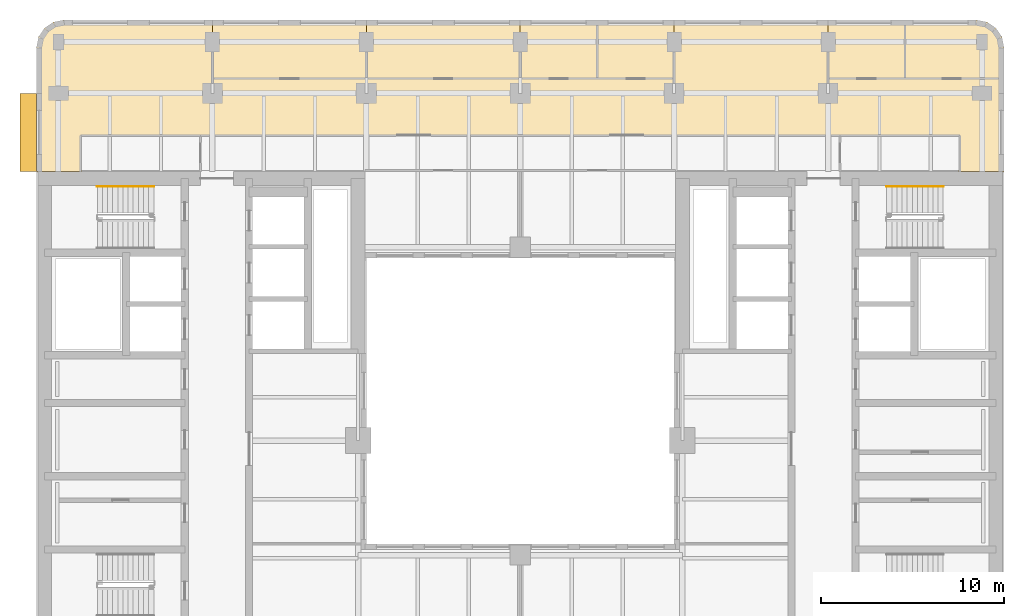
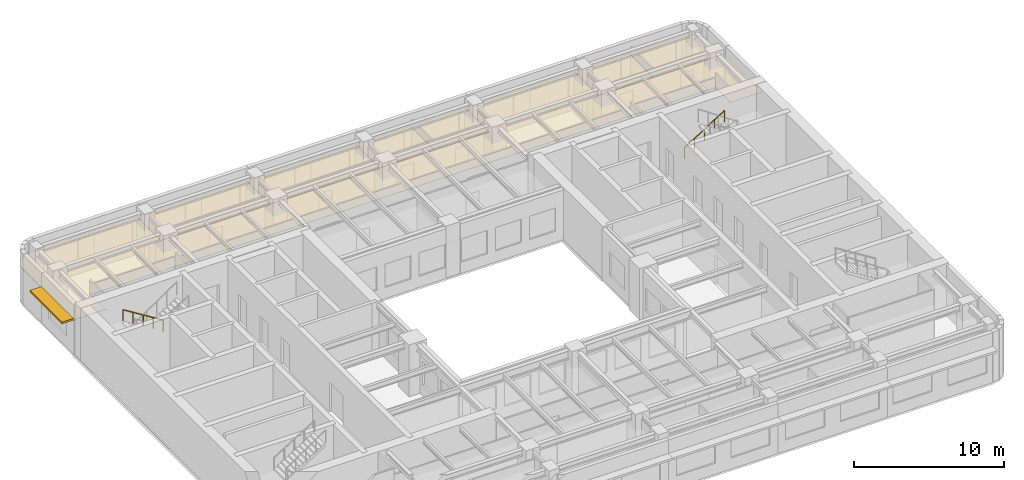
# One storey, part 11 of 11: 7 coverings, 2 railings, 1 shading device.
"""IFC4 building model written with IfcOpenShell, lengths in metres."""

from ifc_helpers import new_model, si_unit, direction, frame, origin, origin_2d, place, context, subcontext, project, spatial, polyline, rectangle, circle, outline, extrude, material, layer, layer_set, type_object, element, save


model = new_model("IFC4")

# Units and contexts
model_context = context("Model", 3, precision=1e-05, world=origin(), true_north=direction((0.0, 1.0)))
body_context = subcontext(model_context, "Body", "Model", "MODEL_VIEW")
ifc_project = project(units=[si_unit("LENGTHUNIT", "METRE"), si_unit("AREAUNIT", "SQUARE_METRE"), si_unit("VOLUMEUNIT", "CUBIC_METRE"), si_unit("PLANEANGLEUNIT", "RADIAN"), si_unit("MASSUNIT", "GRAM", prefix="KILO")], contexts=[model_context])

# Site, building, storey
site_placement = place(None, origin())
site = spatial("IfcSite", under=ifc_project, at=site_placement, CompositionType="ELEMENT")
building_placement = place(site_placement, origin())
building = spatial("IfcBuilding", under=site, at=building_placement, Name="Claustro Exchange Tower", CompositionType="ELEMENT")
storey_placement = place(building_placement, frame((0.0, 0.0, 228.0)))
storey = spatial("IfcBuildingStorey", under=building, at=storey_placement, Name="L52", CompositionType="ELEMENT", Elevation=228.0)

# Coverings
ifc_material_1 = material(Name="Perforated metal ceiling tiles", Category="steel")
ifc_layer_1 = layer(ifc_material_1, 0.030029296875)
ifc_layer_set_1 = layer_set([ifc_layer_1], Name="Perforated metal ceiling tiles")
covering_type_1 = type_object("IfcCoveringType", Name="CL1 suspended metal ceiling", PredefinedType="CEILING", material=ifc_layer_set_1)
covering_1_placement = place(storey_placement, frame((0.0, 0.0, 2.800048828125)))
element("IfcCovering", 1, at=covering_1_placement, inside=storey, type_object=covering_type_1, Name="Ceiling CL1 L52-20", PredefinedType="CEILING", context=body_context, shape_type="SweptSolid", body=[
    extrude(outline(polyline([(-1.125, 37.72509765625), (1.294921875, 37.72509765625), (1.294921875, 37.800048828125), (1.199951171875, 37.800048828125), (1.199951171875, 39.699951171875), (49.199951171875, 39.699951171875), (49.199951171875, 37.800048828125), (49.10498046875, 37.800048828125), (49.10498046875, 37.72509765625), (51.52490234375, 37.72509765625), (51.52490234375, 37.705078125), (51.60009765625, 37.705078125), (51.60009765625, 42.800048828125), (42.0, 42.800048828125), (42.0, 46.0), (33.60009765625, 46.0), (33.60009765625, 42.800048828125), (8.39990234375, 42.800048828125), (8.39990234375, 46.0), (0.300048828125, 46.0), (-0.27392578125, 45.8857421875), (-0.7607421875, 45.560791015625), (-1.085693359375, 45.073974609375), (-1.199951171875, 44.5), (-1.199951171875, 37.705078125), (-1.125, 37.705078125), (-1.125, 37.72509765625)])), origin(), (0.0, 0.0, 1.0), 0.030029296875),
])
ifc_material_2 = material(Name="Gypsum board ceiling", Category="gypsum board")
ifc_layer_2 = layer(ifc_material_2, 0.02490234375)
ifc_layer_set_2 = layer_set([ifc_layer_2], Name="Gypsum board ceiling")
covering_type_2 = type_object("IfcCoveringType", Name="CL2 plasterboard ceiling", PredefinedType="CEILING", material=ifc_layer_set_2)
covering_2_placement = place(storey_placement, frame((0.0, 0.0, 2.800048828125)))
element("IfcCovering", 2, at=covering_2_placement, inside=storey, type_object=covering_type_2, Name="Ceiling CL2 L52-21", PredefinedType="CEILING", context=body_context, shape_type="SweptSolid", body=[
    extrude(outline(polyline([(16.800048828125, 46.0), (8.39990234375, 46.0), (8.39990234375, 42.800048828125), (16.800048828125, 42.800048828125), (16.800048828125, 46.0)])), origin(), (0.0, 0.0, 1.0), 0.02490234375),
])
covering_3_placement = place(storey_placement, frame((0.0, 0.0, 2.800048828125)))
element("IfcCovering", 3, at=covering_3_placement, inside=storey, type_object=covering_type_2, Name="Ceiling CL2 L52-22", PredefinedType="CEILING", context=body_context, shape_type="SweptSolid", body=[
    extrude(outline(polyline([(25.199951171875, 46.0), (16.800048828125, 46.0), (16.800048828125, 42.800048828125), (25.199951171875, 42.800048828125), (25.199951171875, 46.0)])), origin(), (0.0, 0.0, 1.0), 0.02490234375),
])
covering_4_placement = place(storey_placement, frame((0.0, 0.0, 2.800048828125)))
element("IfcCovering", 4, at=covering_4_placement, inside=storey, type_object=covering_type_2, Name="Ceiling CL2 L52-23", PredefinedType="CEILING", context=body_context, shape_type="SweptSolid", body=[
    extrude(outline(polyline([(29.39990234375, 46.0), (25.199951171875, 46.0), (25.199951171875, 42.800048828125), (29.39990234375, 42.800048828125), (29.39990234375, 46.0)])), origin(), (0.0, 0.0, 1.0), 0.02490234375),
])
covering_5_placement = place(storey_placement, frame((0.0, 0.0, 2.800048828125)))
element("IfcCovering", 5, at=covering_5_placement, inside=storey, type_object=covering_type_2, Name="Ceiling CL2 L52-24", PredefinedType="CEILING", context=body_context, shape_type="SweptSolid", body=[
    extrude(outline(polyline([(33.60009765625, 46.0), (29.39990234375, 46.0), (29.39990234375, 42.800048828125), (33.60009765625, 42.800048828125), (33.60009765625, 46.0)])), origin(), (0.0, 0.0, 1.0), 0.02490234375),
])
covering_6_placement = place(storey_placement, frame((0.0, 0.0, 2.800048828125)))
element("IfcCovering", 6, at=covering_6_placement, inside=storey, type_object=covering_type_2, Name="Ceiling CL2 L52-25", PredefinedType="CEILING", context=body_context, shape_type="SweptSolid", body=[
    extrude(outline(polyline([(46.199951171875, 46.0), (42.0, 46.0), (42.0, 42.800048828125), (46.199951171875, 42.800048828125), (46.199951171875, 46.0)])), origin(), (0.0, 0.0, 1.0), 0.02490234375),
])
covering_7_placement = place(storey_placement, frame((0.0, 0.0, 2.800048828125)))
element("IfcCovering", 7, at=covering_7_placement, inside=storey, type_object=covering_type_2, Name="Ceiling CL2 L52-26", PredefinedType="CEILING", context=body_context, shape_type="SweptSolid", body=[
    extrude(outline(polyline([(50.10009765625, 46.0), (46.199951171875, 46.0), (46.199951171875, 42.800048828125), (51.60009765625, 42.800048828125), (51.60009765625, 44.5), (51.48583984375, 45.073974609375), (51.16064453125, 45.560791015625), (50.674072265625, 45.8857421875), (50.10009765625, 46.0)])), origin(), (0.0, 0.0, 1.0), 0.02490234375),
])

# Railings
ifc_material_3 = material(Name="Stainless steel tube", Category="steel")
railing_type = type_object("IfcRailingType", Name="HR1 900 stair handrail", PredefinedType="HANDRAIL", material=ifc_material_3)
railing_1_placement = place(storey_placement, frame((5.199951171875, 36.9150390625, 0.175048828125)))
element("IfcRailing", 8, at=railing_1_placement, inside=storey, type_object=railing_type, Name="Handrail HR1 stair STWB L52", PredefinedType="HANDRAIL", context=body_context, shape_type="SweptSolid", body=[
    extrude(circle(Radius=0.02392578125, at=origin_2d()), frame((0.0, 0.0, 0.8759765625), z_axis=(-0.847979421464, 0.0, 0.530029150871), x_axis=(0.0, -1.0, 0.0)), (0.0, 0.0, 1.0), 3.632080078125),
    extrude(circle(Radius=0.02099609375, at=origin_2d()), origin(), (0.0, 0.0, 1.0), 0.851806640625),
    extrude(circle(Radius=0.02099609375, at=origin_2d()), frame((-0.77001953125, 0.0, 0.481201171875)), (0.0, 0.0, 1.0), 0.851806640625),
    extrude(circle(Radius=0.02099609375, at=origin_2d()), frame((-1.5400390625, 0.0, 0.96240234375)), (0.0, 0.0, 1.0), 0.851806640625),
    extrude(circle(Radius=0.02099609375, at=origin_2d()), frame((-2.309814453125, 0.0, 1.44384765625)), (0.0, 0.0, 1.0), 0.851806640625),
    extrude(circle(Radius=0.02099609375, at=origin_2d()), frame((-3.079833984375, 0.0, 1.925048828125)), (0.0, 0.0, 1.0), 0.851806640625),
])
railing_2_placement = place(storey_placement, frame((45.199951171875, 36.9150390625, 0.175048828125)))
element("IfcRailing", 9, at=railing_2_placement, inside=storey, type_object=railing_type, Name="Handrail HR1 stair STEB L52", PredefinedType="HANDRAIL", context=body_context, shape_type="SweptSolid", body=[
    extrude(circle(Radius=0.02392578125, at=origin_2d()), frame((0.0, 0.0, 0.8759765625), z_axis=(0.847998304005, 0.0, 0.529998940003), x_axis=(0.0, 1.0, 0.0)), (0.0, 0.0, 1.0), 3.632080078125),
    extrude(circle(Radius=0.02099609375, at=origin_2d()), origin(), (0.0, 0.0, 1.0), 0.851806640625),
    extrude(circle(Radius=0.02099609375, at=origin_2d()), frame((0.77001953125, 0.0, 0.481201171875)), (0.0, 0.0, 1.0), 0.851806640625),
    extrude(circle(Radius=0.02099609375, at=origin_2d()), frame((1.5400390625, 0.0, 0.96240234375)), (0.0, 0.0, 1.0), 0.851806640625),
    extrude(circle(Radius=0.02099609375, at=origin_2d()), frame((2.31005859375, 0.0, 1.44384765625)), (0.0, 0.0, 1.0), 0.851806640625),
    extrude(circle(Radius=0.02099609375, at=origin_2d()), frame((3.080078125, 0.0, 1.925048828125)), (0.0, 0.0, 1.0), 0.851806640625),
])

# Shading device
ifc_material_4 = material(Name="Concrete HA-40 (C40/50), precast, white cement, acid-etched", Category="concrete")
ifc_layer_3 = layer(ifc_material_4, 0.14990234375)
ifc_layer_set_3 = layer_set([ifc_layer_3], Name="Concrete HA-40 (C40/50), precast, white cement, acid-etched")
shading_device_type = type_object("IfcShadingDeviceType", Name="SS2 900 precast concrete SUNSHADE", PredefinedType="SHUTTER", material=ifc_layer_set_3)
shading_device_placement = place(storey_placement, frame((-1.64990234375, 39.862548828125, 2.800048828125), z_axis=(0.0, 0.0, 1.0), x_axis=(0.0, 1.0, 0.0)))
element("IfcShadingDevice", 10, at=shading_device_placement, inside=storey, type_object=shading_device_type, Name="Precast SUNSHADE SS2 L52", PredefinedType="SHUTTER", context=body_context, shape_type="SweptSolid", body=[
    extrude(rectangle(XDim=4.27490234375, YDim=0.89990234375, at=origin_2d()), origin(), (0.0, 0.0, 1.0), 0.14990234375),
])

save(model, "model.ifc")
